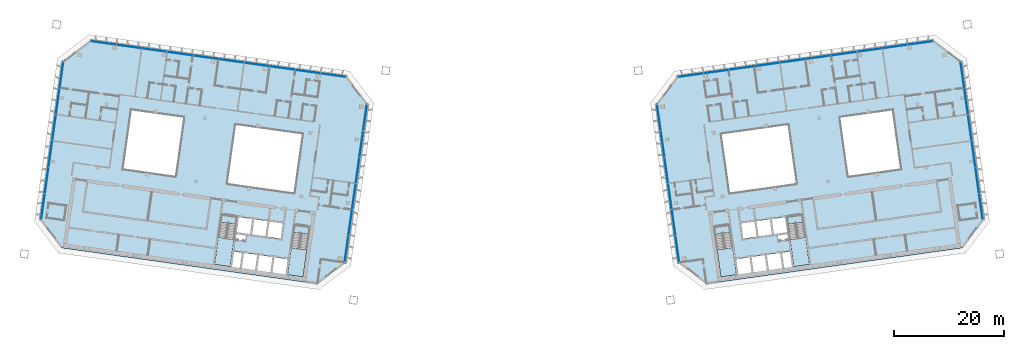
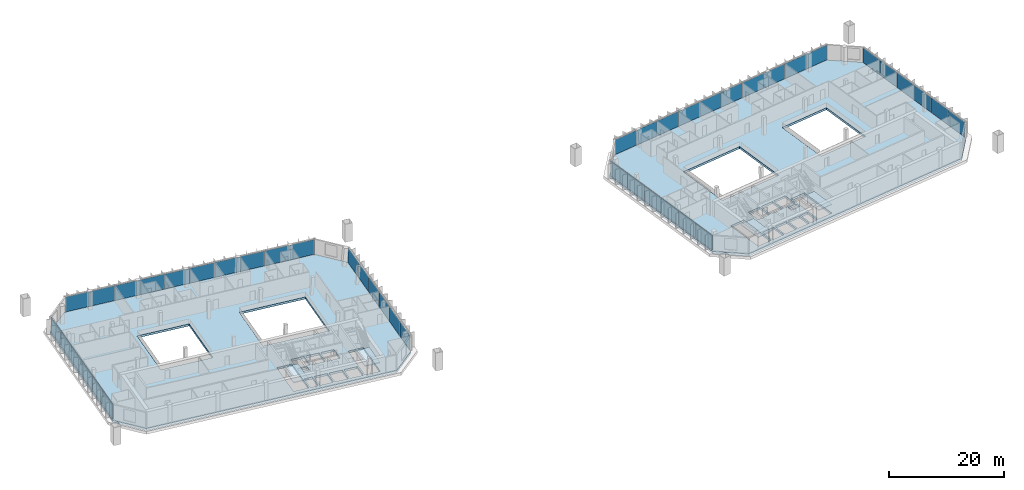
# One storey, part 12 of 22: 44 plates, 6 slabs, 10 elements without a shape of their own.
"""IFC4 building model written with IfcOpenShell, lengths in metres."""

from ifc_helpers import new_model, si_unit, direction, frame, origin, origin_2d, place, context, subcontext, project, spatial, polyline, rectangle, outline, extrude, material, layer, layer_set, type_object, element, aggregate, save


model = new_model("IFC4")

# Units and contexts
model_context = context("Model", 3, precision=1e-05, world=origin(), true_north=direction((0.0, 1.0)))
body_context = subcontext(model_context, "Body", "Model", "MODEL_VIEW")
ifc_project = project(units=[si_unit("LENGTHUNIT", "METRE"), si_unit("AREAUNIT", "SQUARE_METRE"), si_unit("VOLUMEUNIT", "CUBIC_METRE"), si_unit("PLANEANGLEUNIT", "RADIAN"), si_unit("MASSUNIT", "GRAM", prefix="KILO")], contexts=[model_context])

# Site, building, storey
site_placement = place(None, origin())
site = spatial("IfcSite", under=ifc_project, at=site_placement, CompositionType="ELEMENT")
building_placement = place(site_placement, origin())
building = spatial("IfcBuilding", under=site, at=building_placement, Name="Mirante Cascada Hotel Towers", CompositionType="ELEMENT")
storey_placement = place(building_placement, frame((0.0, 0.0, 191.6)))
storey = spatial("IfcBuildingStorey", under=building, at=storey_placement, Name="L45", CompositionType="ELEMENT", Elevation=191.6)

# Curtain wall, plates
ifc_material_1 = material(Name="Aluminium mullion and transom frame with clear laminated glass", Category="aluminium")
curtain_wall_type_1 = type_object("IfcCurtainWallType", Name="Ribbon curtain wall ECW1", PredefinedType="NOTDEFINED", material=ifc_material_1)
curtain_wall_1_placement = place(storey_placement, origin())
curtain_wall_1 = element("IfcCurtainWall", 1, at=curtain_wall_1_placement, inside=storey, type_object=curtain_wall_type_1, Name="Front ribbon wall T1 L45", PredefinedType="NOTDEFINED")
ifc_material_2 = material(Name="Clear laminated glass", Category="glass")
ifc_layer_1 = layer(ifc_material_2, 0.036)
ifc_layer_set_1 = layer_set([ifc_layer_1], Name="ECW1 glass panel 36")
plate_type_1 = type_object("IfcPlateType", Name="ECW1 glass panel 36", PredefinedType="CURTAIN_PANEL", material=ifc_layer_set_1)
plate_1_placement = place(storey_placement, frame((-74.0027, 23.2194, 0.1), z_axis=(0.0, 0.0, 1.0), x_axis=(0.9902681, -0.1391731, 0.0)))
plate_1 = element("IfcPlate", 2, at=plate_1_placement, type_object=plate_type_1, Name="ECW1 panel 1", PredefinedType="CURTAIN_PANEL", context=body_context, shape_type="SweptSolid", body=[
    extrude(rectangle(XDim=4.577, YDim=0.036, at=origin_2d()), origin(), (0.0, 0.0, 1.0), 3.15),
])
plate_2_placement = place(storey_placement, frame((-69.3898, 22.5711, 0.1), z_axis=(0.0, 0.0, 1.0), x_axis=(0.9902681, -0.1391731, 0.0)))
plate_2 = element("IfcPlate", 3, at=plate_2_placement, type_object=plate_type_1, Name="ECW1 panel 2", PredefinedType="CURTAIN_PANEL", context=body_context, shape_type="SweptSolid", body=[
    extrude(rectangle(XDim=4.6095, YDim=0.036, at=origin_2d()), origin(), (0.0, 0.0, 1.0), 3.15),
])
plate_3_placement = place(storey_placement, frame((-64.7609, 21.9206, 0.1), z_axis=(0.0, 0.0, 1.0), x_axis=(0.9902681, -0.1391731, 0.0)))
plate_3 = element("IfcPlate", 4, at=plate_3_placement, type_object=plate_type_1, Name="ECW1 panel 3", PredefinedType="CURTAIN_PANEL", context=body_context, shape_type="SweptSolid", body=[
    extrude(rectangle(XDim=4.6095, YDim=0.036, at=origin_2d()), origin(), (0.0, 0.0, 1.0), 3.15),
])
plate_4_placement = place(storey_placement, frame((-60.1319, 21.27, 0.1), z_axis=(0.0, 0.0, 1.0), x_axis=(0.9902681, -0.1391731, 0.0)))
plate_4 = element("IfcPlate", 5, at=plate_4_placement, type_object=plate_type_1, Name="ECW1 panel 4", PredefinedType="CURTAIN_PANEL", context=body_context, shape_type="SweptSolid", body=[
    extrude(rectangle(XDim=4.6095, YDim=0.036, at=origin_2d()), origin(), (0.0, 0.0, 1.0), 3.15),
])
plate_5_placement = place(storey_placement, frame((-55.5029, 20.6194, 0.1), z_axis=(0.0, 0.0, 1.0), x_axis=(0.9902681, -0.1391731, 0.0)))
plate_5 = element("IfcPlate", 6, at=plate_5_placement, type_object=plate_type_1, Name="ECW1 panel 5", PredefinedType="CURTAIN_PANEL", context=body_context, shape_type="SweptSolid", body=[
    extrude(rectangle(XDim=4.6095, YDim=0.036, at=origin_2d()), origin(), (0.0, 0.0, 1.0), 3.15),
])
plate_6_placement = place(storey_placement, frame((-50.8739, 19.9689, 0.1), z_axis=(0.0, 0.0, 1.0), x_axis=(0.9902681, -0.1391731, 0.0)))
plate_6 = element("IfcPlate", 7, at=plate_6_placement, type_object=plate_type_1, Name="ECW1 panel 6", PredefinedType="CURTAIN_PANEL", context=body_context, shape_type="SweptSolid", body=[
    extrude(rectangle(XDim=4.6095, YDim=0.036, at=origin_2d()), origin(), (0.0, 0.0, 1.0), 3.15),
])
plate_7_placement = place(storey_placement, frame((-46.2449, 19.3183, 0.1), z_axis=(0.0, 0.0, 1.0), x_axis=(0.9902681, -0.1391731, 0.0)))
plate_7 = element("IfcPlate", 8, at=plate_7_placement, type_object=plate_type_1, Name="ECW1 panel 7", PredefinedType="CURTAIN_PANEL", context=body_context, shape_type="SweptSolid", body=[
    extrude(rectangle(XDim=4.6095, YDim=0.036, at=origin_2d()), origin(), (0.0, 0.0, 1.0), 3.15),
])
plate_8_placement = place(storey_placement, frame((-41.6159, 18.6678, 0.1), z_axis=(0.0, 0.0, 1.0), x_axis=(0.9902681, -0.1391731, 0.0)))
plate_8 = element("IfcPlate", 9, at=plate_8_placement, type_object=plate_type_1, Name="ECW1 panel 8", PredefinedType="CURTAIN_PANEL", context=body_context, shape_type="SweptSolid", body=[
    extrude(rectangle(XDim=4.6095, YDim=0.036, at=origin_2d()), origin(), (0.0, 0.0, 1.0), 3.15),
])
plate_9_placement = place(storey_placement, frame((-36.9869, 18.0172, 0.1), z_axis=(0.0, 0.0, 1.0), x_axis=(0.9902681, -0.1391731, 0.0)))
plate_9 = element("IfcPlate", 10, at=plate_9_placement, type_object=plate_type_1, Name="ECW1 panel 9", PredefinedType="CURTAIN_PANEL", context=body_context, shape_type="SweptSolid", body=[
    extrude(rectangle(XDim=4.6095, YDim=0.036, at=origin_2d()), origin(), (0.0, 0.0, 1.0), 3.15),
])
plate_10_placement = place(storey_placement, frame((-32.374, 17.3689, 0.1), z_axis=(0.0, 0.0, 1.0), x_axis=(0.9902681, -0.1391731, 0.0)))
plate_10 = element("IfcPlate", 11, at=plate_10_placement, type_object=plate_type_1, Name="ECW1 panel 10", PredefinedType="CURTAIN_PANEL", context=body_context, shape_type="SweptSolid", body=[
    extrude(rectangle(XDim=4.577, YDim=0.036, at=origin_2d()), origin(), (0.0, 0.0, 1.0), 3.15),
])
aggregate(curtain_wall_1, [plate_1, plate_2, plate_3, plate_4, plate_5, plate_6, plate_7, plate_8, plate_9, plate_10])

curtain_wall_2_placement = place(storey_placement, origin())
curtain_wall_2 = element("IfcCurtainWall", 12, at=curtain_wall_2_placement, inside=storey, type_object=curtain_wall_type_1, Name="Front ribbon wall T2 L45", PredefinedType="NOTDEFINED")
plate_11_placement = place(storey_placement, frame((74.0027, 23.2194, 0.1), z_axis=(0.0, 0.0, 1.0), x_axis=(-0.9902681, -0.1391731, 0.0)))
plate_11 = element("IfcPlate", 13, at=plate_11_placement, type_object=plate_type_1, Name="ECW1 panel 1", PredefinedType="CURTAIN_PANEL", context=body_context, shape_type="SweptSolid", body=[
    extrude(rectangle(XDim=4.577, YDim=0.036, at=origin_2d()), origin(), (0.0, 0.0, 1.0), 3.15),
])
plate_12_placement = place(storey_placement, frame((69.3898, 22.5711, 0.1), z_axis=(0.0, 0.0, 1.0), x_axis=(-0.9902681, -0.1391731, 0.0)))
plate_12 = element("IfcPlate", 14, at=plate_12_placement, type_object=plate_type_1, Name="ECW1 panel 2", PredefinedType="CURTAIN_PANEL", context=body_context, shape_type="SweptSolid", body=[
    extrude(rectangle(XDim=4.6095, YDim=0.036, at=origin_2d()), origin(), (0.0, 0.0, 1.0), 3.15),
])
plate_13_placement = place(storey_placement, frame((64.7609, 21.9206, 0.1), z_axis=(0.0, 0.0, 1.0), x_axis=(-0.9902681, -0.1391731, 0.0)))
plate_13 = element("IfcPlate", 15, at=plate_13_placement, type_object=plate_type_1, Name="ECW1 panel 3", PredefinedType="CURTAIN_PANEL", context=body_context, shape_type="SweptSolid", body=[
    extrude(rectangle(XDim=4.6095, YDim=0.036, at=origin_2d()), origin(), (0.0, 0.0, 1.0), 3.15),
])
plate_14_placement = place(storey_placement, frame((60.1319, 21.27, 0.1), z_axis=(0.0, 0.0, 1.0), x_axis=(-0.9902681, -0.1391731, 0.0)))
plate_14 = element("IfcPlate", 16, at=plate_14_placement, type_object=plate_type_1, Name="ECW1 panel 4", PredefinedType="CURTAIN_PANEL", context=body_context, shape_type="SweptSolid", body=[
    extrude(rectangle(XDim=4.6095, YDim=0.036, at=origin_2d()), origin(), (0.0, 0.0, 1.0), 3.15),
])
plate_15_placement = place(storey_placement, frame((55.5029, 20.6194, 0.1), z_axis=(0.0, 0.0, 1.0), x_axis=(-0.9902681, -0.1391731, 0.0)))
plate_15 = element("IfcPlate", 17, at=plate_15_placement, type_object=plate_type_1, Name="ECW1 panel 5", PredefinedType="CURTAIN_PANEL", context=body_context, shape_type="SweptSolid", body=[
    extrude(rectangle(XDim=4.6095, YDim=0.036, at=origin_2d()), origin(), (0.0, 0.0, 1.0), 3.15),
])
plate_16_placement = place(storey_placement, frame((50.8739, 19.9689, 0.1), z_axis=(0.0, 0.0, 1.0), x_axis=(-0.9902681, -0.1391731, 0.0)))
plate_16 = element("IfcPlate", 18, at=plate_16_placement, type_object=plate_type_1, Name="ECW1 panel 6", PredefinedType="CURTAIN_PANEL", context=body_context, shape_type="SweptSolid", body=[
    extrude(rectangle(XDim=4.6095, YDim=0.036, at=origin_2d()), origin(), (0.0, 0.0, 1.0), 3.15),
])
plate_17_placement = place(storey_placement, frame((46.2449, 19.3183, 0.1), z_axis=(0.0, 0.0, 1.0), x_axis=(-0.9902681, -0.1391731, 0.0)))
plate_17 = element("IfcPlate", 19, at=plate_17_placement, type_object=plate_type_1, Name="ECW1 panel 7", PredefinedType="CURTAIN_PANEL", context=body_context, shape_type="SweptSolid", body=[
    extrude(rectangle(XDim=4.6095, YDim=0.036, at=origin_2d()), origin(), (0.0, 0.0, 1.0), 3.15),
])
plate_18_placement = place(storey_placement, frame((41.6159, 18.6678, 0.1), z_axis=(0.0, 0.0, 1.0), x_axis=(-0.9902681, -0.1391731, 0.0)))
plate_18 = element("IfcPlate", 20, at=plate_18_placement, type_object=plate_type_1, Name="ECW1 panel 8", PredefinedType="CURTAIN_PANEL", context=body_context, shape_type="SweptSolid", body=[
    extrude(rectangle(XDim=4.6095, YDim=0.036, at=origin_2d()), origin(), (0.0, 0.0, 1.0), 3.15),
])
plate_19_placement = place(storey_placement, frame((36.9869, 18.0172, 0.1), z_axis=(0.0, 0.0, 1.0), x_axis=(-0.9902681, -0.1391731, 0.0)))
plate_19 = element("IfcPlate", 21, at=plate_19_placement, type_object=plate_type_1, Name="ECW1 panel 9", PredefinedType="CURTAIN_PANEL", context=body_context, shape_type="SweptSolid", body=[
    extrude(rectangle(XDim=4.6095, YDim=0.036, at=origin_2d()), origin(), (0.0, 0.0, 1.0), 3.15),
])
plate_20_placement = place(storey_placement, frame((32.374, 17.3689, 0.1), z_axis=(0.0, 0.0, 1.0), x_axis=(-0.9902681, -0.1391731, 0.0)))
plate_20 = element("IfcPlate", 22, at=plate_20_placement, type_object=plate_type_1, Name="ECW1 panel 10", PredefinedType="CURTAIN_PANEL", context=body_context, shape_type="SweptSolid", body=[
    extrude(rectangle(XDim=4.577, YDim=0.036, at=origin_2d()), origin(), (0.0, 0.0, 1.0), 3.15),
])
aggregate(curtain_wall_2, [plate_11, plate_12, plate_13, plate_14, plate_15, plate_16, plate_17, plate_18, plate_19, plate_20])

ifc_material_3 = material(Name="Aluminium mullion and transom frame with clear laminated glass", Category="aluminium")
curtain_wall_type_2 = type_object("IfcCurtainWallType", Name="End ribbon curtain wall ECW2", PredefinedType="NOTDEFINED", material=ifc_material_3)
curtain_wall_3_placement = place(storey_placement, origin())
curtain_wall_3 = element("IfcCurtainWall", 23, at=curtain_wall_3_placement, inside=storey, type_object=curtain_wall_type_2, Name="Inner end wall T1 L45", PredefinedType="NOTDEFINED")
ifc_material_4 = material(Name="Clear laminated glass", Category="glass")
ifc_layer_2 = layer(ifc_material_4, 0.034)
ifc_layer_set_2 = layer_set([ifc_layer_2], Name="ECW2 glass panel 34")
plate_type_2 = type_object("IfcPlateType", Name="ECW2 glass panel 34", PredefinedType="CURTAIN_PANEL", material=ifc_layer_set_2)
plate_21_placement = place(storey_placement, frame((-26.6254, 9.6591, 0.1), z_axis=(0.0, 0.0, 1.0), x_axis=(-0.1391731, -0.9902681, 0.0)))
plate_21 = element("IfcPlate", 24, at=plate_21_placement, type_object=plate_type_2, Name="ECW2 panel 1", PredefinedType="CURTAIN_PANEL", context=body_context, shape_type="SweptSolid", body=[
    extrude(rectangle(XDim=4.7151, YDim=0.034, at=origin_2d()), origin(), (0.0, 0.0, 1.0), 3.15),
])
plate_22_placement = place(storey_placement, frame((-27.293, 4.9094, 0.1), z_axis=(0.0, 0.0, 1.0), x_axis=(-0.1391731, -0.9902681, 0.0)))
plate_22 = element("IfcPlate", 25, at=plate_22_placement, type_object=plate_type_2, Name="ECW2 panel 2", PredefinedType="CURTAIN_PANEL", context=body_context, shape_type="SweptSolid", body=[
    extrude(rectangle(XDim=4.7476, YDim=0.034, at=origin_2d()), origin(), (0.0, 0.0, 1.0), 3.15),
])
plate_23_placement = place(storey_placement, frame((-27.9628, 0.1436, 0.1), z_axis=(0.0, 0.0, 1.0), x_axis=(-0.1391731, -0.9902681, 0.0)))
plate_23 = element("IfcPlate", 26, at=plate_23_placement, type_object=plate_type_2, Name="ECW2 panel 3", PredefinedType="CURTAIN_PANEL", context=body_context, shape_type="SweptSolid", body=[
    extrude(rectangle(XDim=4.7476, YDim=0.034, at=origin_2d()), origin(), (0.0, 0.0, 1.0), 3.15),
])
plate_24_placement = place(storey_placement, frame((-28.6325, -4.6221, 0.1), z_axis=(0.0, 0.0, 1.0), x_axis=(-0.1391731, -0.9902681, 0.0)))
plate_24 = element("IfcPlate", 27, at=plate_24_placement, type_object=plate_type_2, Name="ECW2 panel 4", PredefinedType="CURTAIN_PANEL", context=body_context, shape_type="SweptSolid", body=[
    extrude(rectangle(XDim=4.7476, YDim=0.034, at=origin_2d()), origin(), (0.0, 0.0, 1.0), 3.15),
])
plate_25_placement = place(storey_placement, frame((-29.3023, -9.3879, 0.1), z_axis=(0.0, 0.0, 1.0), x_axis=(-0.1391731, -0.9902681, 0.0)))
plate_25 = element("IfcPlate", 28, at=plate_25_placement, type_object=plate_type_2, Name="ECW2 panel 5", PredefinedType="CURTAIN_PANEL", context=body_context, shape_type="SweptSolid", body=[
    extrude(rectangle(XDim=4.7476, YDim=0.034, at=origin_2d()), origin(), (0.0, 0.0, 1.0), 3.15),
])
plate_26_placement = place(storey_placement, frame((-29.9699, -14.1376, 0.1), z_axis=(0.0, 0.0, 1.0), x_axis=(-0.1391731, -0.9902681, 0.0)))
plate_26 = element("IfcPlate", 29, at=plate_26_placement, type_object=plate_type_2, Name="ECW2 panel 6", PredefinedType="CURTAIN_PANEL", context=body_context, shape_type="SweptSolid", body=[
    extrude(rectangle(XDim=4.7151, YDim=0.034, at=origin_2d()), origin(), (0.0, 0.0, 1.0), 3.15),
])
aggregate(curtain_wall_3, [plate_21, plate_22, plate_23, plate_24, plate_25, plate_26])

curtain_wall_4_placement = place(storey_placement, origin())
curtain_wall_4 = element("IfcCurtainWall", 30, at=curtain_wall_4_placement, inside=storey, type_object=curtain_wall_type_2, Name="Outer end wall T1 L45", PredefinedType="NOTDEFINED")
plate_27_placement = place(storey_placement, frame((-84.3306, -1.6542, 0.1), z_axis=(0.0, 0.0, 1.0), x_axis=(0.1391731, 0.9902681, 0.0)))
plate_27 = element("IfcPlate", 31, at=plate_27_placement, type_object=plate_type_2, Name="ECW2 panel 2", PredefinedType="CURTAIN_PANEL", context=body_context, shape_type="SweptSolid", body=[
    extrude(rectangle(XDim=4.7476, YDim=0.034, at=origin_2d()), origin(), (0.0, 0.0, 1.0), 3.15),
])
plate_28_placement = place(storey_placement, frame((-83.6608, 3.1116, 0.1), z_axis=(0.0, 0.0, 1.0), x_axis=(0.1391731, 0.9902681, 0.0)))
plate_28 = element("IfcPlate", 32, at=plate_28_placement, type_object=plate_type_2, Name="ECW2 panel 3", PredefinedType="CURTAIN_PANEL", context=body_context, shape_type="SweptSolid", body=[
    extrude(rectangle(XDim=4.7476, YDim=0.034, at=origin_2d()), origin(), (0.0, 0.0, 1.0), 3.15),
])
plate_29_placement = place(storey_placement, frame((-82.991, 7.8774, 0.1), z_axis=(0.0, 0.0, 1.0), x_axis=(0.1391731, 0.9902681, 0.0)))
plate_29 = element("IfcPlate", 33, at=plate_29_placement, type_object=plate_type_2, Name="ECW2 panel 4", PredefinedType="CURTAIN_PANEL", context=body_context, shape_type="SweptSolid", body=[
    extrude(rectangle(XDim=4.7476, YDim=0.034, at=origin_2d()), origin(), (0.0, 0.0, 1.0), 3.15),
])
plate_30_placement = place(storey_placement, frame((-82.3213, 12.6432, 0.1), z_axis=(0.0, 0.0, 1.0), x_axis=(0.1391731, 0.9902681, 0.0)))
plate_30 = element("IfcPlate", 34, at=plate_30_placement, type_object=plate_type_2, Name="ECW2 panel 5", PredefinedType="CURTAIN_PANEL", context=body_context, shape_type="SweptSolid", body=[
    extrude(rectangle(XDim=4.7476, YDim=0.034, at=origin_2d()), origin(), (0.0, 0.0, 1.0), 3.15),
])

curtain_wall_5_placement = place(storey_placement, origin())
curtain_wall_5 = element("IfcCurtainWall", 35, at=curtain_wall_5_placement, inside=storey, type_object=curtain_wall_type_2, Name="Inner end wall T2 L45", PredefinedType="NOTDEFINED")
plate_31_placement = place(storey_placement, frame((26.6254, 9.6591, 0.1), z_axis=(0.0, 0.0, 1.0), x_axis=(0.1391731, -0.9902681, 0.0)))
plate_31 = element("IfcPlate", 36, at=plate_31_placement, type_object=plate_type_2, Name="ECW2 panel 1", PredefinedType="CURTAIN_PANEL", context=body_context, shape_type="SweptSolid", body=[
    extrude(rectangle(XDim=4.7151, YDim=0.034, at=origin_2d()), origin(), (0.0, 0.0, 1.0), 3.15),
])
plate_32_placement = place(storey_placement, frame((27.293, 4.9094, 0.1), z_axis=(0.0, 0.0, 1.0), x_axis=(0.1391731, -0.9902681, 0.0)))
plate_32 = element("IfcPlate", 37, at=plate_32_placement, type_object=plate_type_2, Name="ECW2 panel 2", PredefinedType="CURTAIN_PANEL", context=body_context, shape_type="SweptSolid", body=[
    extrude(rectangle(XDim=4.7476, YDim=0.034, at=origin_2d()), origin(), (0.0, 0.0, 1.0), 3.15),
])
plate_33_placement = place(storey_placement, frame((27.9628, 0.1436, 0.1), z_axis=(0.0, 0.0, 1.0), x_axis=(0.1391731, -0.9902681, 0.0)))
plate_33 = element("IfcPlate", 38, at=plate_33_placement, type_object=plate_type_2, Name="ECW2 panel 3", PredefinedType="CURTAIN_PANEL", context=body_context, shape_type="SweptSolid", body=[
    extrude(rectangle(XDim=4.7476, YDim=0.034, at=origin_2d()), origin(), (0.0, 0.0, 1.0), 3.15),
])
plate_34_placement = place(storey_placement, frame((28.6325, -4.6221, 0.1), z_axis=(0.0, 0.0, 1.0), x_axis=(0.1391731, -0.9902681, 0.0)))
plate_34 = element("IfcPlate", 39, at=plate_34_placement, type_object=plate_type_2, Name="ECW2 panel 4", PredefinedType="CURTAIN_PANEL", context=body_context, shape_type="SweptSolid", body=[
    extrude(rectangle(XDim=4.7476, YDim=0.034, at=origin_2d()), origin(), (0.0, 0.0, 1.0), 3.15),
])
plate_35_placement = place(storey_placement, frame((29.3023, -9.3879, 0.1), z_axis=(0.0, 0.0, 1.0), x_axis=(0.1391731, -0.9902681, 0.0)))
plate_35 = element("IfcPlate", 40, at=plate_35_placement, type_object=plate_type_2, Name="ECW2 panel 5", PredefinedType="CURTAIN_PANEL", context=body_context, shape_type="SweptSolid", body=[
    extrude(rectangle(XDim=4.7476, YDim=0.034, at=origin_2d()), origin(), (0.0, 0.0, 1.0), 3.15),
])
plate_36_placement = place(storey_placement, frame((29.9699, -14.1376, 0.1), z_axis=(0.0, 0.0, 1.0), x_axis=(0.1391731, -0.9902681, 0.0)))
plate_36 = element("IfcPlate", 41, at=plate_36_placement, type_object=plate_type_2, Name="ECW2 panel 6", PredefinedType="CURTAIN_PANEL", context=body_context, shape_type="SweptSolid", body=[
    extrude(rectangle(XDim=4.7151, YDim=0.034, at=origin_2d()), origin(), (0.0, 0.0, 1.0), 3.15),
])
aggregate(curtain_wall_5, [plate_31, plate_32, plate_33, plate_34, plate_35, plate_36])

curtain_wall_6_placement = place(storey_placement, origin())
curtain_wall_6 = element("IfcCurtainWall", 42, at=curtain_wall_6_placement, inside=storey, type_object=curtain_wall_type_2, Name="Outer end wall T2 L45", PredefinedType="NOTDEFINED")
plate_37_placement = place(storey_placement, frame((84.3306, -1.6542, 0.1), z_axis=(0.0, 0.0, 1.0), x_axis=(-0.1391731, 0.9902681, 0.0)))
plate_37 = element("IfcPlate", 43, at=plate_37_placement, type_object=plate_type_2, Name="ECW2 panel 2", PredefinedType="CURTAIN_PANEL", context=body_context, shape_type="SweptSolid", body=[
    extrude(rectangle(XDim=4.7476, YDim=0.034, at=origin_2d()), origin(), (0.0, 0.0, 1.0), 3.15),
])
plate_38_placement = place(storey_placement, frame((83.6608, 3.1116, 0.1), z_axis=(0.0, 0.0, 1.0), x_axis=(-0.1391731, 0.9902681, 0.0)))
plate_38 = element("IfcPlate", 44, at=plate_38_placement, type_object=plate_type_2, Name="ECW2 panel 3", PredefinedType="CURTAIN_PANEL", context=body_context, shape_type="SweptSolid", body=[
    extrude(rectangle(XDim=4.7476, YDim=0.034, at=origin_2d()), origin(), (0.0, 0.0, 1.0), 3.15),
])
plate_39_placement = place(storey_placement, frame((82.991, 7.8774, 0.1), z_axis=(0.0, 0.0, 1.0), x_axis=(-0.1391731, 0.9902681, 0.0)))
plate_39 = element("IfcPlate", 45, at=plate_39_placement, type_object=plate_type_2, Name="ECW2 panel 4", PredefinedType="CURTAIN_PANEL", context=body_context, shape_type="SweptSolid", body=[
    extrude(rectangle(XDim=4.7476, YDim=0.034, at=origin_2d()), origin(), (0.0, 0.0, 1.0), 3.15),
])
plate_40_placement = place(storey_placement, frame((82.3213, 12.6432, 0.1), z_axis=(0.0, 0.0, 1.0), x_axis=(-0.1391731, 0.9902681, 0.0)))
plate_40 = element("IfcPlate", 46, at=plate_40_placement, type_object=plate_type_2, Name="ECW2 panel 5", PredefinedType="CURTAIN_PANEL", context=body_context, shape_type="SweptSolid", body=[
    extrude(rectangle(XDim=4.7476, YDim=0.034, at=origin_2d()), origin(), (0.0, 0.0, 1.0), 3.15),
])

# Plate
ifc_material_5 = material(Name="Insulated aluminium spandrel panel", Category="aluminium")
ifc_layer_3 = layer(ifc_material_5, 0.034)
ifc_layer_set_3 = layer_set([ifc_layer_3], Name="ECW2 spandrel panel 34")
plate_type_3 = type_object("IfcPlateType", Name="ECW2 spandrel panel 34", PredefinedType="CURTAIN_PANEL", material=ifc_layer_set_3)
plate_41_placement = place(storey_placement, frame((-84.9981, -6.4039, 0.1), z_axis=(0.0, 0.0, 1.0), x_axis=(0.1391731, 0.9902681, 0.0)))
plate_41 = element("IfcPlate", 47, at=plate_41_placement, type_object=plate_type_3, Name="ECW2 panel 1", PredefinedType="CURTAIN_PANEL", context=body_context, shape_type="SweptSolid", body=[
    extrude(rectangle(XDim=4.7151, YDim=0.034, at=origin_2d()), origin(), (0.0, 0.0, 1.0), 3.15),
])

plate_42_placement = place(storey_placement, frame((-81.6537, 17.3928, 0.1), z_axis=(0.0, 0.0, 1.0), x_axis=(0.1391731, 0.9902681, 0.0)))
plate_42 = element("IfcPlate", 48, at=plate_42_placement, type_object=plate_type_3, Name="ECW2 panel 6", PredefinedType="CURTAIN_PANEL", context=body_context, shape_type="SweptSolid", body=[
    extrude(rectangle(XDim=4.7151, YDim=0.034, at=origin_2d()), origin(), (0.0, 0.0, 1.0), 3.15),
])

aggregate(curtain_wall_4, [plate_41, plate_27, plate_28, plate_29, plate_30, plate_42])

plate_43_placement = place(storey_placement, frame((84.9981, -6.4039, 0.1), z_axis=(0.0, 0.0, 1.0), x_axis=(-0.1391731, 0.9902681, 0.0)))
plate_43 = element("IfcPlate", 49, at=plate_43_placement, type_object=plate_type_3, Name="ECW2 panel 1", PredefinedType="CURTAIN_PANEL", context=body_context, shape_type="SweptSolid", body=[
    extrude(rectangle(XDim=4.7151, YDim=0.034, at=origin_2d()), origin(), (0.0, 0.0, 1.0), 3.15),
])

plate_44_placement = place(storey_placement, frame((81.6537, 17.3928, 0.1), z_axis=(0.0, 0.0, 1.0), x_axis=(-0.1391731, 0.9902681, 0.0)))
plate_44 = element("IfcPlate", 50, at=plate_44_placement, type_object=plate_type_3, Name="ECW2 panel 6", PredefinedType="CURTAIN_PANEL", context=body_context, shape_type="SweptSolid", body=[
    extrude(rectangle(XDim=4.7151, YDim=0.034, at=origin_2d()), origin(), (0.0, 0.0, 1.0), 3.15),
])

aggregate(curtain_wall_6, [plate_43, plate_37, plate_38, plate_39, plate_40, plate_44])

# Stair, slab
ifc_material_6 = material(Name="Concrete C35/45", Category="concrete")
stair_type = type_object("IfcStairType", Name="Exit stair half-turn 1350 concrete C35/45", PredefinedType="HALF_TURN_STAIR", material=ifc_material_6)
stair_1_placement = place(storey_placement, origin())
stair_1 = element("IfcStair", 51, at=stair_1_placement, inside=storey, type_object=stair_type, Name="L45 Exit stair A", PredefinedType="HALF_TURN_STAIR")
ifc_material_7 = material(Name="Concrete C35/45", Category="concrete")
ifc_layer_4 = layer(ifc_material_7, 0.2)
ifc_layer_set_4 = layer_set([ifc_layer_4], Name="Exit stair landing 200 concrete C35/45")
slab_type_1 = type_object("IfcSlabType", Name="Exit stair landing 200 concrete C35/45", PredefinedType="LANDING", material=ifc_layer_set_4)
slab_1_placement = place(storey_placement, frame((0.0, 0.0, 1.7)))
slab_1 = element("IfcSlab", 52, at=slab_1_placement, type_object=slab_type_1, Name="ST1-A landing 1", PredefinedType="LANDING", context=body_context, shape_type="SweptSolid", body=[
    extrude(outline(polyline([(-39.9987, -13.8659), (-40.6887, -18.7757), (-37.8665, -19.1723), (-37.1765, -14.2626), (-39.9987, -13.8659)])), origin(), (0.0, 0.0, 1.0), 0.2),
])
aggregate(stair_1, [slab_1])

stair_2_placement = place(storey_placement, origin())
stair_2 = element("IfcStair", 53, at=stair_2_placement, inside=storey, type_object=stair_type, Name="L45 Exit stair B", PredefinedType="HALF_TURN_STAIR")
slab_2_placement = place(storey_placement, frame((0.0, 0.0, 1.7)))
slab_2 = element("IfcSlab", 54, at=slab_2_placement, type_object=slab_type_1, Name="ST1-B landing 1", PredefinedType="LANDING", context=body_context, shape_type="SweptSolid", body=[
    extrude(outline(polyline([(-53.2188, -12.008), (-53.9088, -16.9177), (-51.0866, -17.3144), (-50.3965, -12.4046), (-53.2188, -12.008)])), origin(), (0.0, 0.0, 1.0), 0.2),
])
aggregate(stair_2, [slab_2])

stair_3_placement = place(storey_placement, origin())
stair_3 = element("IfcStair", 55, at=stair_3_placement, inside=storey, type_object=stair_type, Name="L45 Exit stair A", PredefinedType="HALF_TURN_STAIR")
slab_3_placement = place(storey_placement, frame((0.0, 0.0, 1.7)))
slab_3 = element("IfcSlab", 56, at=slab_3_placement, type_object=slab_type_1, Name="ST2-A landing 1", PredefinedType="LANDING", context=body_context, shape_type="SweptSolid", body=[
    extrude(outline(polyline([(37.1765, -14.2626), (37.8665, -19.1723), (40.6887, -18.7757), (39.9987, -13.8659), (37.1765, -14.2626)])), origin(), (0.0, 0.0, 1.0), 0.2),
])
aggregate(stair_3, [slab_3])

stair_4_placement = place(storey_placement, origin())
stair_4 = element("IfcStair", 57, at=stair_4_placement, inside=storey, type_object=stair_type, Name="L45 Exit stair B", PredefinedType="HALF_TURN_STAIR")
slab_4_placement = place(storey_placement, frame((0.0, 0.0, 1.7)))
slab_4 = element("IfcSlab", 58, at=slab_4_placement, type_object=slab_type_1, Name="ST2-B landing 1", PredefinedType="LANDING", context=body_context, shape_type="SweptSolid", body=[
    extrude(outline(polyline([(50.3965, -12.4046), (51.0866, -17.3144), (53.9088, -16.9177), (53.2188, -12.008), (50.3965, -12.4046)])), origin(), (0.0, 0.0, 1.0), 0.2),
])
aggregate(stair_4, [slab_4])

# Slabs
ifc_material_8 = material(Name="Concrete C40/50", Category="concrete")
ifc_layer_5 = layer(ifc_material_8, 0.45)
ifc_layer_set_5 = layer_set([ifc_layer_5], Name="Post-tensioned flat plate 450 Concrete C40/50")
slab_type_2 = type_object("IfcSlabType", Name="Post-tensioned flat plate 450 Concrete C40/50", PredefinedType="FLOOR", material=ifc_layer_set_5)
slab_5_placement = place(storey_placement, frame((0.0, 0.0, -0.45)))
element("IfcSlab", 59, at=slab_5_placement, inside=storey, type_object=slab_type_2, Name="Floor T1 L45", PredefinedType="FLOOR", context=body_context, shape_type="SweptSolid", body=[
    extrude(outline(polyline([(-30.1671, -16.619), (-26.1311, 12.0988), (-29.961, 17.1812), (-76.374, 23.7042), (-81.4565, 19.8742), (-85.4925, -8.8435), (-81.6626, -13.926), (-35.2496, -20.4489), (-30.1671, -16.619)]), holes=[polyline([(-40.5961, -15.9612), (-40.9858, -18.7339), (-43.4615, -18.386), (-43.0718, -15.6132), (-40.5961, -15.9612)]), polyline([(-43.3689, -15.5715), (-43.7586, -18.3442), (-46.2342, -17.9963), (-45.8446, -15.2236), (-43.3689, -15.5715)]), polyline([(-46.1416, -15.1818), (-46.5313, -17.9546), (-49.007, -17.6066), (-48.6173, -14.8339), (-46.1416, -15.1818)]), polyline([(-36.7887, -11.5037), (-37.8665, -19.1723), (-40.6887, -18.7757), (-39.611, -11.107), (-36.7887, -11.5037)]), polyline([(-43.9775, -9.124), (-41.5018, -9.472), (-41.8915, -12.2447), (-44.3672, -11.8968), (-43.9775, -9.124)]), polyline([(-44.2746, -9.0823), (-44.6643, -11.855), (-47.1399, -11.5071), (-46.7503, -8.7344), (-44.2746, -9.0823)]), polyline([(-50.3998, -14.5834), (-48.9144, -14.7921), (-49.3041, -17.5649), (-50.7895, -17.3561), (-50.3998, -14.5834)]), polyline([(-50.0088, -9.6457), (-51.0866, -17.3144), (-53.9088, -16.9177), (-52.8311, -9.2491), (-50.0088, -9.6457)]), polyline([(-48.1472, -11.6685), (-48.2829, -12.634), (-50.0901, -12.38), (-49.9544, -11.4145), (-48.1472, -11.6685)]), polyline([(-49.523, -8.3447), (-47.0473, -8.6926), (-47.437, -11.4654), (-49.9127, -11.1174), (-49.523, -8.3447)]), polyline([(-59.3964, 9.8061), (-59.3964, 9.8061), (-60.9273, -1.0869), (-60.9273, -1.0869), (-70.579, 0.2696), (-69.0481, 11.1625), (-59.3964, 9.8061)]), polyline([(-37.8547, 6.7786), (-39.3856, -4.1144), (-51.6427, -2.3917), (-51.6427, -2.3917), (-50.1118, 8.5012), (-37.8547, 6.7786)])]), origin(), (0.0, 0.0, 1.0), 0.45),
])
slab_6_placement = place(storey_placement, frame((0.0, 0.0, -0.45)))
element("IfcSlab", 60, at=slab_6_placement, inside=storey, type_object=slab_type_2, Name="Floor T2 L45", PredefinedType="FLOOR", context=body_context, shape_type="SweptSolid", body=[
    extrude(outline(polyline([(30.1671, -16.619), (26.1311, 12.0988), (29.961, 17.1812), (76.374, 23.7042), (81.4565, 19.8742), (85.4925, -8.8435), (81.6626, -13.926), (35.2496, -20.4489), (30.1671, -16.619)]), holes=[polyline([(40.5961, -15.9612), (40.9858, -18.7339), (43.4615, -18.386), (43.0718, -15.6132), (40.5961, -15.9612)]), polyline([(43.3689, -15.5715), (43.7586, -18.3442), (46.2342, -17.9963), (45.8446, -15.2236), (43.3689, -15.5715)]), polyline([(46.1416, -15.1818), (46.5313, -17.9546), (49.007, -17.6066), (48.6173, -14.8339), (46.1416, -15.1818)]), polyline([(37.8665, -19.1723), (40.6887, -18.7757), (39.611, -11.107), (36.7887, -11.5037), (37.8665, -19.1723)]), polyline([(43.9775, -9.124), (41.5018, -9.472), (41.8915, -12.2447), (44.3672, -11.8968), (43.9775, -9.124)]), polyline([(44.2746, -9.0823), (44.6643, -11.855), (47.1399, -11.5071), (46.7503, -8.7344), (44.2746, -9.0823)]), polyline([(50.3998, -14.5834), (48.9144, -14.7921), (49.3041, -17.5649), (50.7895, -17.3561), (50.3998, -14.5834)]), polyline([(51.0866, -17.3144), (53.9088, -16.9177), (52.8311, -9.2491), (50.0088, -9.6457), (51.0866, -17.3144)]), polyline([(48.1472, -11.6685), (48.2829, -12.634), (50.0901, -12.38), (49.9544, -11.4145), (48.1472, -11.6685)]), polyline([(49.523, -8.3447), (47.0473, -8.6926), (47.437, -11.4654), (49.9127, -11.1174), (49.523, -8.3447)]), polyline([(69.0481, 11.1625), (70.579, 0.2696), (60.9273, -1.0869), (60.9273, -1.0869), (59.3964, 9.8061), (59.3964, 9.8061), (69.0481, 11.1625)]), polyline([(39.3856, -4.1144), (37.8547, 6.7786), (50.1118, 8.5012), (51.6427, -2.3917), (51.6427, -2.3917), (39.3856, -4.1144)])]), origin(), (0.0, 0.0, 1.0), 0.45),
])

save(model, "model.ifc")
